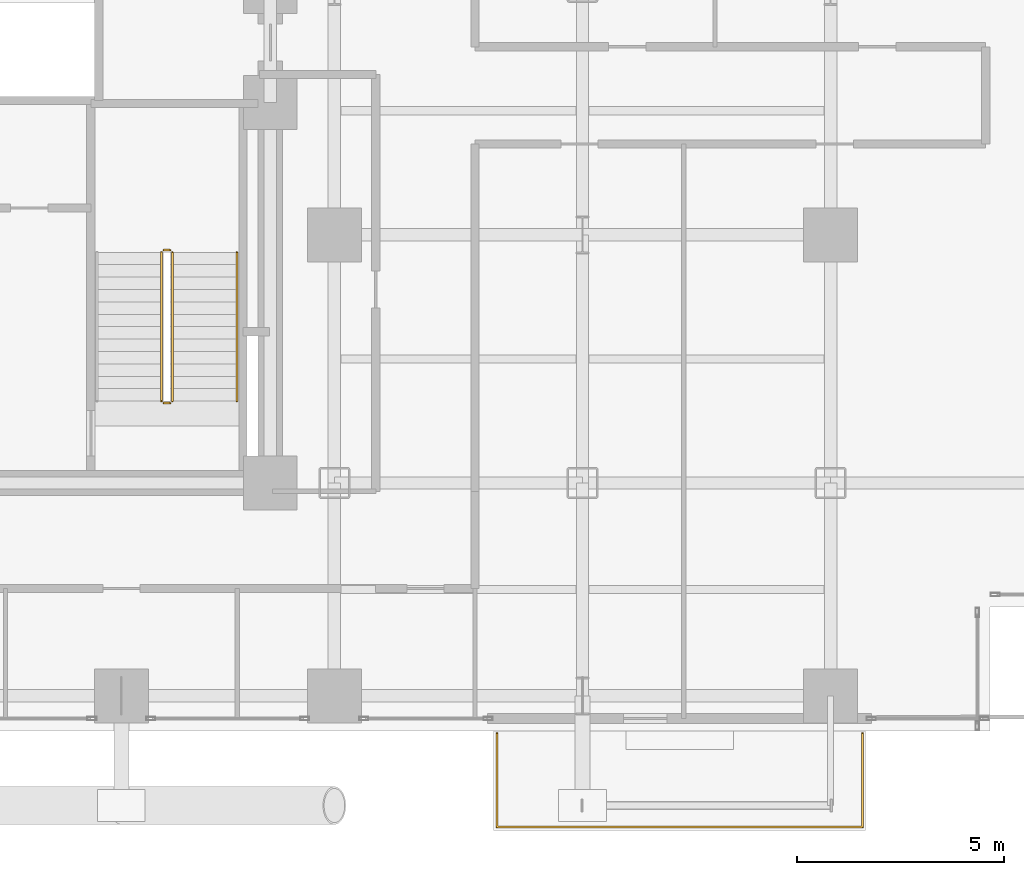
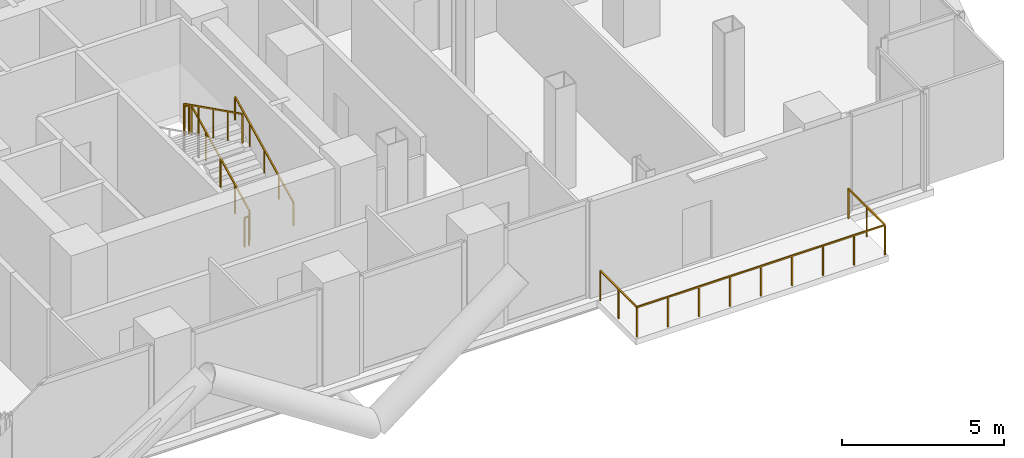
# One storey, part 26 of 27: 6 railings.
"""IFC4 building model written with IfcOpenShell, lengths in metres."""

from ifc_helpers import new_model, si_unit, direction, frame, origin, origin_2d, place, context, subcontext, project, spatial, rectangle, extrude, material, type_object, element, save


model = new_model("IFC4")

# Units and contexts
model_context = context("Model", 3, precision=1e-05, world=origin(), true_north=direction((0.0, 1.0)))
body_context = subcontext(model_context, "Body", "Model", "MODEL_VIEW")
ifc_project = project(units=[si_unit("LENGTHUNIT", "METRE"), si_unit("AREAUNIT", "SQUARE_METRE"), si_unit("VOLUMEUNIT", "CUBIC_METRE"), si_unit("PLANEANGLEUNIT", "RADIAN"), si_unit("MASSUNIT", "GRAM", prefix="KILO"), si_unit("THERMODYNAMICTEMPERATUREUNIT", "KELVIN"), si_unit("POWERUNIT", "WATT")], contexts=[model_context])

# Site, building, storey
site_placement = place(None, origin())
site = spatial("IfcSite", under=ifc_project, at=site_placement, CompositionType="ELEMENT")
building_placement = place(site_placement, origin())
building = spatial("IfcBuilding", under=site, at=building_placement, Name="Svarakhadi Broadcast Tower", CompositionType="ELEMENT")
storey_placement = place(building_placement, frame((0.0, 0.0, 87.0)))
storey = spatial("IfcBuildingStorey", under=building, at=storey_placement, Name="L20", CompositionType="ELEMENT", Elevation=87.0)

# Railings
ifc_material_1 = material(Name="Laminated Structural SentryGlas Balustrade 25.5 mm", Category="glass")
railing_type_1 = type_object("IfcRailingType", Name="Guard_Balcony_GR01", PredefinedType="BALUSTRADE", material=ifc_material_1)
railing_1_placement = place(storey_placement, frame((39.080078125, -0.06005859375, 0.0)))
element("IfcRailing", 1, at=railing_1_placement, inside=storey, type_object=railing_type_1, Name="L20 South Tree Balcony Guard GR-05", PredefinedType="BALUSTRADE", context=body_context, shape_type="SweptSolid", body=[
    extrude(rectangle(XDim=0.048095703125, YDim=0.048095703125, at=origin_2d()), frame((0.0, 0.0, 1.1259765625), z_axis=(0.0, -1.0, 0.0), x_axis=(1.0, 0.0, 0.0)), (0.0, 0.0, 1.0), 2.260009765625),
    extrude(rectangle(XDim=0.048095703125, YDim=0.048095703125, at=origin_2d()), frame((0.0, -2.260009765625, 1.1259765625), z_axis=(1.0, 0.0, 0.0), x_axis=(0.0, 1.0, 0.0)), (0.0, 0.0, 1.0), 8.83984375),
    extrude(rectangle(XDim=0.048095703125, YDim=0.048095703125, at=origin_2d()), frame((8.83984375, -2.260009765625, 1.1259765625), z_axis=(0.0, 1.0, 0.0), x_axis=(-1.0, 0.0, 0.0)), (0.0, 0.0, 1.0), 2.260009765625),
    extrude(rectangle(XDim=0.0419921875, YDim=0.0419921875, at=origin_2d()), origin(), (0.0, 0.0, 1.0), 1.101806640625),
    extrude(rectangle(XDim=0.0419921875, YDim=0.0419921875, at=origin_2d()), frame((0.0, -1.1298828125, 0.0)), (0.0, 0.0, 1.0), 1.101806640625),
    extrude(rectangle(XDim=0.0419921875, YDim=0.0419921875, at=origin_2d()), frame((0.0, -2.260009765625, 0.0)), (0.0, 0.0, 1.0), 1.101806640625),
    extrude(rectangle(XDim=0.0419921875, YDim=0.0419921875, at=origin_2d()), frame((1.10498046875, -2.260009765625, 0.0)), (0.0, 0.0, 1.0), 1.101806640625),
    extrude(rectangle(XDim=0.0419921875, YDim=0.0419921875, at=origin_2d()), frame((2.2099609375, -2.260009765625, 0.0)), (0.0, 0.0, 1.0), 1.101806640625),
    extrude(rectangle(XDim=0.0419921875, YDim=0.0419921875, at=origin_2d()), frame((3.31494140625, -2.260009765625, 0.0)), (0.0, 0.0, 1.0), 1.101806640625),
    extrude(rectangle(XDim=0.0419921875, YDim=0.0419921875, at=origin_2d()), frame((4.419921875, -2.260009765625, 0.0)), (0.0, 0.0, 1.0), 1.101806640625),
    extrude(rectangle(XDim=0.0419921875, YDim=0.0419921875, at=origin_2d()), frame((5.52490234375, -2.260009765625, 0.0)), (0.0, 0.0, 1.0), 1.101806640625),
    extrude(rectangle(XDim=0.0419921875, YDim=0.0419921875, at=origin_2d()), frame((6.6298828125, -2.260009765625, 0.0)), (0.0, 0.0, 1.0), 1.101806640625),
    extrude(rectangle(XDim=0.0419921875, YDim=0.0419921875, at=origin_2d()), frame((7.73486328125, -2.260009765625, 0.0)), (0.0, 0.0, 1.0), 1.101806640625),
    extrude(rectangle(XDim=0.0419921875, YDim=0.0419921875, at=origin_2d()), frame((8.83984375, -2.260009765625, 0.0)), (0.0, 0.0, 1.0), 1.101806640625),
    extrude(rectangle(XDim=0.0419921875, YDim=0.0419921875, at=origin_2d()), frame((8.83984375, -1.1298828125, 0.0)), (0.0, 0.0, 1.0), 1.101806640625),
    extrude(rectangle(XDim=0.0419921875, YDim=0.0419921875, at=origin_2d()), frame((8.83984375, 0.0, 0.0)), (0.0, 0.0, 1.0), 1.101806640625),
])
ifc_material_2 = material(Name="Anodised Bronze Aluminium AA 6063-T6", Category="aluminium")
railing_type_2 = type_object("IfcRailingType", Name="Guard_Stair_GR01", PredefinedType="GUARDRAIL", material=ifc_material_2)
railing_2_placement = place(storey_placement, frame((31.22998046875, 7.97998046875, 0.14990234375)))
element("IfcRailing", 2, at=railing_2_placement, inside=storey, type_object=railing_type_2, Name="L20 ST-02 stair guard 1", PredefinedType="GUARDRAIL", context=body_context, shape_type="SweptSolid", body=[
    extrude(rectangle(XDim=0.048095703125, YDim=0.048095703125, at=origin_2d()), frame((0.0, 0.0, 1.09619140625), z_axis=(0.0, 0.894427191, 0.4472135955), x_axis=(-1.0, 0.0, 0.0)), (0.0, 0.0, 1.0), 4.025146484375),
    extrude(rectangle(XDim=0.0419921875, YDim=0.0419921875, at=origin_2d()), origin(), (0.0, 0.0, 1.0), 1.072021484375),
    extrude(rectangle(XDim=0.0419921875, YDim=0.0419921875, at=origin_2d()), frame((0.0, 0.89990234375, 0.449951171875)), (0.0, 0.0, 1.0), 1.072021484375),
    extrude(rectangle(XDim=0.0419921875, YDim=0.0419921875, at=origin_2d()), frame((0.0, 1.800048828125, 0.89990234375)), (0.0, 0.0, 1.0), 1.072021484375),
    extrude(rectangle(XDim=0.0419921875, YDim=0.0419921875, at=origin_2d()), frame((0.0, 2.7001953125, 1.35009765625)), (0.0, 0.0, 1.0), 1.072021484375),
    extrude(rectangle(XDim=0.0419921875, YDim=0.0419921875, at=origin_2d()), frame((0.0, 3.60009765625, 1.800048828125)), (0.0, 0.0, 1.0), 1.072021484375),
])
railing_3_placement = place(storey_placement, frame((31.179931640625, 11.6298828125, 1.949951171875)))
element("IfcRailing", 3, at=railing_3_placement, inside=storey, type_object=railing_type_2, Name="L20 ST-02 stair guard 2", PredefinedType="GUARDRAIL", context=body_context, shape_type="SweptSolid", body=[
    extrude(rectangle(XDim=0.048095703125, YDim=0.048095703125, at=origin_2d()), frame((0.0, 0.0, 1.09619140625), z_axis=(-1.0, 0.0, 0.0), x_axis=(0.0, -1.0, 0.0)), (0.0, 0.0, 1.0), 0.159912109375),
    extrude(rectangle(XDim=0.0419921875, YDim=0.0419921875, at=origin_2d()), origin(), (0.0, 0.0, 1.0), 1.072021484375),
    extrude(rectangle(XDim=0.0419921875, YDim=0.0419921875, at=origin_2d()), frame((-0.159912109375, 0.0, 0.0)), (0.0, 0.0, 1.0), 1.072021484375),
])
railing_4_placement = place(storey_placement, frame((30.969970703125, 11.580078125, 2.10009765625)))
element("IfcRailing", 4, at=railing_4_placement, inside=storey, type_object=railing_type_2, Name="L20 ST-02 stair guard 3", PredefinedType="GUARDRAIL", context=body_context, shape_type="SweptSolid", body=[
    extrude(rectangle(XDim=0.048095703125, YDim=0.048095703125, at=origin_2d()), frame((0.0, 0.0, 1.09619140625), z_axis=(0.0, -0.894451452574, 0.447165069061), x_axis=(1.0, 0.0, 0.0)), (0.0, 0.0, 1.0), 4.02490234375),
    extrude(rectangle(XDim=0.0419921875, YDim=0.0419921875, at=origin_2d()), origin(), (0.0, 0.0, 1.0), 1.072021484375),
    extrude(rectangle(XDim=0.0419921875, YDim=0.0419921875, at=origin_2d()), frame((0.0, -0.89990234375, 0.449951171875)), (0.0, 0.0, 1.0), 1.072021484375),
    extrude(rectangle(XDim=0.0419921875, YDim=0.0419921875, at=origin_2d()), frame((0.0, -1.800048828125, 0.89990234375)), (0.0, 0.0, 1.0), 1.072021484375),
    extrude(rectangle(XDim=0.0419921875, YDim=0.0419921875, at=origin_2d()), frame((0.0, -2.7001953125, 1.349853515625)), (0.0, 0.0, 1.0), 1.072021484375),
    extrude(rectangle(XDim=0.0419921875, YDim=0.0419921875, at=origin_2d()), frame((0.0, -3.60009765625, 1.7998046875)), (0.0, 0.0, 1.0), 1.072021484375),
])
railing_5_placement = place(storey_placement, frame((31.179931640625, 7.929931640625, 0.0)))
element("IfcRailing", 5, at=railing_5_placement, inside=storey, type_object=railing_type_2, Name="L20 ST-02 stair guard 4", PredefinedType="GUARDRAIL", context=body_context, shape_type="SweptSolid", body=[
    extrude(rectangle(XDim=0.048095703125, YDim=0.048095703125, at=origin_2d()), frame((0.0, 0.0, 1.09619140625), z_axis=(-1.0, 0.0, 0.0), x_axis=(0.0, -1.0, 0.0)), (0.0, 0.0, 1.0), 0.159912109375),
    extrude(rectangle(XDim=0.0419921875, YDim=0.0419921875, at=origin_2d()), origin(), (0.0, 0.0, 1.0), 1.072021484375),
    extrude(rectangle(XDim=0.0419921875, YDim=0.0419921875, at=origin_2d()), frame((-0.159912109375, 0.0, 0.0)), (0.0, 0.0, 1.0), 1.072021484375),
])
railing_type_3 = type_object("IfcRailingType", Name="Handrail_Stair_HR01", PredefinedType="HANDRAIL", material=ifc_material_2)
railing_6_placement = place(storey_placement, frame((32.7900390625, 7.97998046875, 0.14990234375)))
element("IfcRailing", 6, at=railing_6_placement, inside=storey, type_object=railing_type_3, Name="L20 ST-02 stair handrail 1", PredefinedType="HANDRAIL", context=body_context, shape_type="SweptSolid", body=[
    extrude(rectangle(XDim=0.048095703125, YDim=0.048095703125, at=origin_2d()), frame((0.0, 0.0, 0.8759765625), z_axis=(0.0, 0.894427191, 0.4472135955), x_axis=(-1.0, 0.0, 0.0)), (0.0, 0.0, 1.0), 4.025146484375),
    extrude(rectangle(XDim=0.0419921875, YDim=0.0419921875, at=origin_2d()), origin(), (0.0, 0.0, 1.0), 0.851806640625),
    extrude(rectangle(XDim=0.0419921875, YDim=0.0419921875, at=origin_2d()), frame((0.0, 0.89990234375, 0.449951171875)), (0.0, 0.0, 1.0), 0.851806640625),
    extrude(rectangle(XDim=0.0419921875, YDim=0.0419921875, at=origin_2d()), frame((0.0, 1.800048828125, 0.89990234375)), (0.0, 0.0, 1.0), 0.851806640625),
    extrude(rectangle(XDim=0.0419921875, YDim=0.0419921875, at=origin_2d()), frame((0.0, 2.7001953125, 1.35009765625)), (0.0, 0.0, 1.0), 0.851806640625),
    extrude(rectangle(XDim=0.0419921875, YDim=0.0419921875, at=origin_2d()), frame((0.0, 3.60009765625, 1.800048828125)), (0.0, 0.0, 1.0), 0.851806640625),
])

save(model, "model.ifc")
